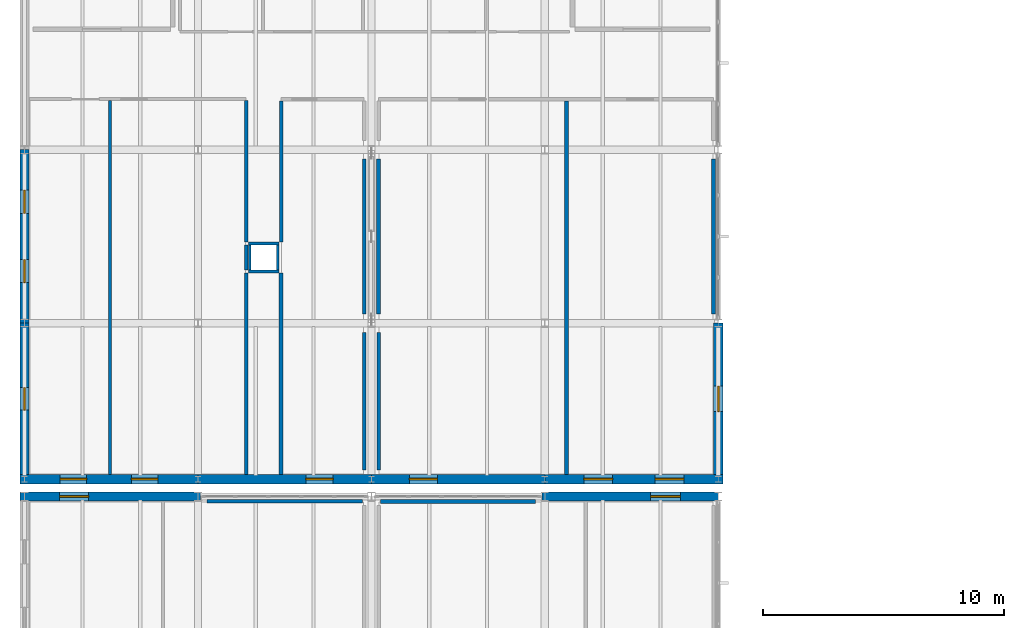
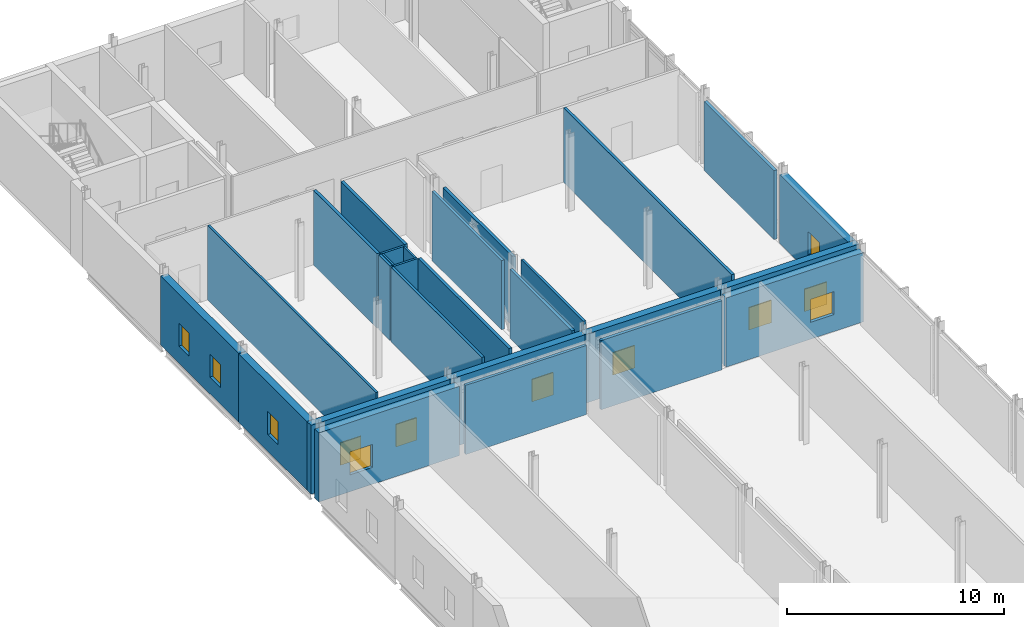
# One storey, part 55 of 72: 27 walls, 12 windows, 12 openings.
"""IFC4 building model written with IfcOpenShell, lengths in metres."""

from ifc_helpers import new_model, si_unit, direction, frame, frame_2d, origin, place, context, subcontext, project, spatial, rectangle, extrude, material, layer, layer_set, type_object, element, fill, save


model = new_model("IFC4")

# Units and contexts
model_context = context("Model", 3, precision=1e-05, world=origin(), true_north=direction((0.0, 1.0)))
body_context = subcontext(model_context, "Body", "Model", "MODEL_VIEW")
ifc_project = project(units=[si_unit("LENGTHUNIT", "METRE"), si_unit("AREAUNIT", "SQUARE_METRE"), si_unit("VOLUMEUNIT", "CUBIC_METRE"), si_unit("PLANEANGLEUNIT", "RADIAN"), si_unit("MASSUNIT", "GRAM", prefix="KILO")], contexts=[model_context])

# Site, building, storey
site_placement = place(None, origin())
site = spatial("IfcSite", under=ifc_project, at=site_placement, CompositionType="ELEMENT")
building_placement = place(site_placement, origin())
building = spatial("IfcBuilding", under=site, at=building_placement, Name="Zarrinpeak Specialist Clinic", CompositionType="ELEMENT")
storey_placement = place(building_placement, frame((0.0, 0.0, 9.60009765625)))
storey = spatial("IfcBuildingStorey", under=building, at=storey_placement, Name="L02", CompositionType="ELEMENT", Elevation=9.60009765625)

# Wall, opening, window
ifc_material_1 = material(Name="Precast concrete C40/50", Category="concrete")
ifc_layer_1 = layer(ifc_material_1, 0.3798828125)
ifc_layer_set_1 = layer_set([ifc_layer_1], Name="Precast concrete C40/50")
wall_type_1 = type_object("IfcWallType", Name="WL-EW380", PredefinedType="STANDARD", material=ifc_layer_set_1)
wall_1_placement = place(storey_placement, frame((7.31005859375, 50.39990234375, 0.0), z_axis=(0.0, 0.0, 1.0), x_axis=(-1.0, 0.0, 0.0)))
wall_1 = element("IfcWall", 1, at=wall_1_placement, inside=storey, type_object=wall_type_1, Name="L02 V1 Exterior GRC Wall EW-L02-V1-0033", PredefinedType="STANDARD", context=body_context, shape_type="SweptSolid", body=[
    extrude(rectangle(XDim=7.5, YDim=0.3798828125, at=frame_2d((3.75, 0.0))), origin(), (0.0, 0.0, 1.0), 3.89501953125),
])
opening_1_placement = place(wall_1_placement, frame((4.64990234375, 0.0, 0.949951171875)))
opening_1 = element("IfcOpeningElement", 2, at=opening_1_placement, cuts=wall_1, Name="Opening WS-24", PredefinedType="OPENING", context=body_context, shape_type="SweptSolid", body=[
    extrude(rectangle(XDim=1.199951171875, YDim=1.2958984375, at=frame_2d((0.60009765625, 0.64794921875))), frame((0.0, 0.199951171875, 0.0), z_axis=(0.0, -1.0, 0.0), x_axis=(1.0, 0.0, 0.0)), (0.0, 0.0, 1.0), 0.39990234375),
])
ifc_material_2 = material(Name="Thermally Broken Aluminium and Low-E Glazing", Category="aluminium")
window_type_1 = type_object("IfcWindowType", Name="WN-SP24", PartitioningType="SINGLE_PANEL", PredefinedType="WINDOW", material=ifc_material_2)
window_1_placement = place(opening_1_placement, origin())
window_1 = element("IfcWindow", 3, at=window_1_placement, inside=storey, type_object=window_type_1, Name="L02 Modular Facade Window WN-L02-0049", OverallHeight=1.2958984375, OverallWidth=1.199951171875, PartitioningType="SINGLE_PANEL", PredefinedType="WINDOW", context=body_context, shape_type="SweptSolid", body=[
    extrude(rectangle(XDim=1.199951171875, YDim=1.2958984375, at=frame_2d((0.60009765625, 0.64794921875))), frame((0.0, 0.030029296875, 0.0), z_axis=(0.0, -1.0, 0.0), x_axis=(1.0, 0.0, 0.0)), (0.0, 0.0, 1.0), 0.06005859375),
])
fill(opening_1, window_1)

wall_2_placement = place(storey_placement, frame((28.800048828125, 50.39990234375, 0.0), z_axis=(0.0, 0.0, 1.0), x_axis=(-1.0, 0.0, 0.0)))
wall_2 = element("IfcWall", 4, at=wall_2_placement, inside=storey, type_object=wall_type_1, Name="L02 V1 Exterior GRC Wall EW-L02-V1-0034", PredefinedType="STANDARD", context=body_context, shape_type="SweptSolid", body=[
    extrude(rectangle(XDim=7.31005859375, YDim=0.3798828125, at=frame_2d((3.655029296875, 0.0))), origin(), (0.0, 0.0, 1.0), 3.89501953125),
])
opening_2_placement = place(wall_2_placement, frame((1.575927734375, 0.0, 0.949951171875)))
opening_2 = element("IfcOpeningElement", 5, at=opening_2_placement, cuts=wall_2, Name="Opening WS-25", PredefinedType="OPENING", context=body_context, shape_type="SweptSolid", body=[
    extrude(rectangle(XDim=1.23388671875, YDim=1.2958984375, at=frame_2d((0.616943359375, 0.64794921875))), frame((0.0, 0.199951171875, 0.0), z_axis=(0.0, -1.0, 0.0), x_axis=(1.0, 0.0, 0.0)), (0.0, 0.0, 1.0), 0.39990234375),
])
window_type_2 = type_object("IfcWindowType", Name="WN-SP25", PartitioningType="SINGLE_PANEL", PredefinedType="WINDOW", material=ifc_material_2)
window_2_placement = place(opening_2_placement, origin())
window_2 = element("IfcWindow", 6, at=window_2_placement, inside=storey, type_object=window_type_2, Name="L02 Modular Facade Window WN-L02-0050", OverallHeight=1.2958984375, OverallWidth=1.23388671875, PartitioningType="SINGLE_PANEL", PredefinedType="WINDOW", context=body_context, shape_type="SweptSolid", body=[
    extrude(rectangle(XDim=1.23388671875, YDim=1.2958984375, at=frame_2d((0.616943359375, 0.64794921875))), frame((0.0, 0.030029296875, 0.0), z_axis=(0.0, -1.0, 0.0), x_axis=(1.0, 0.0, 0.0)), (0.0, 0.0, 1.0), 0.06005859375),
])
fill(opening_2, window_2)

# Wall, openings, windows
wall_3_placement = place(storey_placement, frame((-0.18994140625, 51.1201171875, 0.0), z_axis=(0.0, 0.0, 1.0), x_axis=(1.0, 0.0, 0.0)))
wall_3 = element("IfcWall", 7, at=wall_3_placement, inside=storey, type_object=wall_type_1, Name="L02 V5 Exterior GRC Wall EW-L02-V5-0239", PredefinedType="STANDARD", context=body_context, shape_type="SweptSolid", body=[
    extrude(rectangle(XDim=7.389892578125, YDim=0.3798828125, at=frame_2d((3.69482421875, 0.0))), origin(), (0.0, 0.0, 1.0), 3.875),
])
opening_3_placement = place(wall_3_placement, frame((1.66796875, 0.0, 0.949951171875)))
opening_3 = element("IfcOpeningElement", 8, at=opening_3_placement, cuts=wall_3, Name="Opening WS-08", PredefinedType="OPENING", context=body_context, shape_type="SweptSolid", body=[
    extrude(rectangle(XDim=1.097900390625, YDim=1.260009765625, at=frame_2d((0.548828125, 0.6298828125))), frame((0.0, 0.199951171875, 0.0), z_axis=(0.0, -1.0, 0.0), x_axis=(1.0, 0.0, 0.0)), (0.0, 0.0, 1.0), 0.39990234375),
])
opening_4_placement = place(wall_3_placement, frame((4.6240234375, 0.0, 0.949951171875)))
opening_4 = element("IfcOpeningElement", 9, at=opening_4_placement, cuts=wall_3, Name="Opening WS-08", PredefinedType="OPENING", context=body_context, shape_type="SweptSolid", body=[
    extrude(rectangle(XDim=1.097900390625, YDim=1.260009765625, at=frame_2d((0.548828125, 0.6298828125))), frame((0.0, 0.199951171875, 0.0), z_axis=(0.0, -1.0, 0.0), x_axis=(1.0, 0.0, 0.0)), (0.0, 0.0, 1.0), 0.39990234375),
])
window_type_3 = type_object("IfcWindowType", Name="WN-SP08", PartitioningType="SINGLE_PANEL", PredefinedType="WINDOW", material=ifc_material_2)
window_3_placement = place(opening_3_placement, origin())
window_3 = element("IfcWindow", 10, at=window_3_placement, inside=storey, type_object=window_type_3, Name="L02 Modular Facade Window WN-L02-0272", OverallHeight=1.260009765625, OverallWidth=1.097900390625, PartitioningType="SINGLE_PANEL", PredefinedType="WINDOW", context=body_context, shape_type="SweptSolid", body=[
    extrude(rectangle(XDim=1.097900390625, YDim=1.260009765625, at=frame_2d((0.548828125, 0.6298828125))), frame((0.0, 0.030029296875, 0.0), z_axis=(0.0, -1.0, 0.0), x_axis=(1.0, 0.0, 0.0)), (0.0, 0.0, 1.0), 0.06005859375),
])
fill(opening_3, window_3)
window_4_placement = place(opening_4_placement, origin())
window_4 = element("IfcWindow", 11, at=window_4_placement, inside=storey, type_object=window_type_3, Name="L02 Modular Facade Window WN-L02-0273", OverallHeight=1.260009765625, OverallWidth=1.097900390625, PartitioningType="SINGLE_PANEL", PredefinedType="WINDOW", context=body_context, shape_type="SweptSolid", body=[
    extrude(rectangle(XDim=1.097900390625, YDim=1.260009765625, at=frame_2d((0.548828125, 0.6298828125))), frame((0.0, 0.030029296875, 0.0), z_axis=(0.0, -1.0, 0.0), x_axis=(1.0, 0.0, 0.0)), (0.0, 0.0, 1.0), 0.06005859375),
])
fill(opening_4, window_4)

# Wall, opening, window
wall_4_placement = place(storey_placement, frame((7.199951171875, 51.1201171875, 0.0), z_axis=(0.0, 0.0, 1.0), x_axis=(1.0, 0.0, 0.0)))
wall_4 = element("IfcWall", 12, at=wall_4_placement, inside=storey, type_object=wall_type_1, Name="L02 V5 Exterior GRC Wall EW-L02-V5-0240", PredefinedType="STANDARD", context=body_context, shape_type="SweptSolid", body=[
    extrude(rectangle(XDim=7.199951171875, YDim=0.3798828125, at=frame_2d((3.60009765625, 0.0))), origin(), (0.0, 0.0, 1.0), 3.875),
])
opening_5_placement = place(wall_4_placement, frame((4.47412109375, 0.0, 0.949951171875)))
opening_5 = element("IfcOpeningElement", 13, at=opening_5_placement, cuts=wall_4, Name="Opening WS-09", PredefinedType="OPENING", context=body_context, shape_type="SweptSolid", body=[
    extrude(rectangle(XDim=1.132080078125, YDim=1.260009765625, at=frame_2d((0.56591796875, 0.6298828125))), frame((0.0, 0.199951171875, 0.0), z_axis=(0.0, -1.0, 0.0), x_axis=(1.0, 0.0, 0.0)), (0.0, 0.0, 1.0), 0.39990234375),
])
window_type_4 = type_object("IfcWindowType", Name="WN-SP09", PartitioningType="SINGLE_PANEL", PredefinedType="WINDOW", material=ifc_material_2)
window_5_placement = place(opening_5_placement, origin())
window_5 = element("IfcWindow", 14, at=window_5_placement, inside=storey, type_object=window_type_4, Name="L02 Modular Facade Window WN-L02-0274", OverallHeight=1.260009765625, OverallWidth=1.132080078125, PartitioningType="SINGLE_PANEL", PredefinedType="WINDOW", context=body_context, shape_type="SweptSolid", body=[
    extrude(rectangle(XDim=1.132080078125, YDim=1.260009765625, at=frame_2d((0.56591796875, 0.6298828125))), frame((0.0, 0.030029296875, 0.0), z_axis=(0.0, -1.0, 0.0), x_axis=(1.0, 0.0, 0.0)), (0.0, 0.0, 1.0), 0.06005859375),
])
fill(opening_5, window_5)

wall_5_placement = place(storey_placement, frame((14.39990234375, 51.1201171875, 0.0), z_axis=(0.0, 0.0, 1.0), x_axis=(1.0, 0.0, 0.0)))
wall_5 = element("IfcWall", 15, at=wall_5_placement, inside=storey, type_object=wall_type_1, Name="L02 V5 Exterior GRC Wall EW-L02-V5-0241", PredefinedType="STANDARD", context=body_context, shape_type="SweptSolid", body=[
    extrude(rectangle(XDim=7.2001953125, YDim=0.3798828125, at=frame_2d((3.60009765625, 0.0))), origin(), (0.0, 0.0, 1.0), 3.875),
])
opening_6_placement = place(wall_5_placement, frame((1.576904296875, 0.0, 0.949951171875)))
opening_6 = element("IfcOpeningElement", 16, at=opening_6_placement, cuts=wall_5, Name="Opening WS-10", PredefinedType="OPENING", context=body_context, shape_type="SweptSolid", body=[
    extrude(rectangle(XDim=1.166015625, YDim=1.260009765625, at=frame_2d((0.5830078125, 0.6298828125))), frame((0.0, 0.199951171875, 0.0), z_axis=(0.0, -1.0, 0.0), x_axis=(1.0, 0.0, 0.0)), (0.0, 0.0, 1.0), 0.39990234375),
])
window_type_5 = type_object("IfcWindowType", Name="WN-SP10", PartitioningType="SINGLE_PANEL", PredefinedType="WINDOW", material=ifc_material_2)
window_6_placement = place(opening_6_placement, origin())
window_6 = element("IfcWindow", 17, at=window_6_placement, inside=storey, type_object=window_type_5, Name="L02 Modular Facade Window WN-L02-0275", OverallHeight=1.260009765625, OverallWidth=1.166015625, PartitioningType="SINGLE_PANEL", PredefinedType="WINDOW", context=body_context, shape_type="SweptSolid", body=[
    extrude(rectangle(XDim=1.166015625, YDim=1.260009765625, at=frame_2d((0.5830078125, 0.6298828125))), frame((0.0, 0.030029296875, 0.0), z_axis=(0.0, -1.0, 0.0), x_axis=(1.0, 0.0, 0.0)), (0.0, 0.0, 1.0), 0.06005859375),
])
fill(opening_6, window_6)

# Wall, openings, windows
wall_6_placement = place(storey_placement, frame((21.60009765625, 51.1201171875, 0.0), z_axis=(0.0, 0.0, 1.0), x_axis=(1.0, 0.0, 0.0)))
wall_6 = element("IfcWall", 18, at=wall_6_placement, inside=storey, type_object=wall_type_1, Name="L02 V5 Exterior GRC Wall EW-L02-V5-0242", PredefinedType="STANDARD", context=body_context, shape_type="SweptSolid", body=[
    extrude(rectangle(XDim=7.389892578125, YDim=0.3798828125, at=frame_2d((3.69482421875, 0.0))), origin(), (0.0, 0.0, 1.0), 3.875),
])
opening_7_placement = place(wall_6_placement, frame((1.616943359375, 0.0, 0.949951171875)))
opening_7 = element("IfcOpeningElement", 19, at=opening_7_placement, cuts=wall_6, Name="Opening WS-11", PredefinedType="OPENING", context=body_context, shape_type="SweptSolid", body=[
    extrude(rectangle(XDim=1.199951171875, YDim=1.260009765625, at=frame_2d((0.60009765625, 0.6298828125))), frame((0.0, 0.199951171875, 0.0), z_axis=(0.0, -1.0, 0.0), x_axis=(1.0, 0.0, 0.0)), (0.0, 0.0, 1.0), 0.39990234375),
])
opening_8_placement = place(wall_6_placement, frame((4.572998046875, 0.0, 0.949951171875)))
opening_8 = element("IfcOpeningElement", 20, at=opening_8_placement, cuts=wall_6, Name="Opening WS-11", PredefinedType="OPENING", context=body_context, shape_type="SweptSolid", body=[
    extrude(rectangle(XDim=1.199951171875, YDim=1.260009765625, at=frame_2d((0.60009765625, 0.6298828125))), frame((0.0, 0.199951171875, 0.0), z_axis=(0.0, -1.0, 0.0), x_axis=(1.0, 0.0, 0.0)), (0.0, 0.0, 1.0), 0.39990234375),
])
window_type_6 = type_object("IfcWindowType", Name="WN-SP11", PartitioningType="SINGLE_PANEL", PredefinedType="WINDOW", material=ifc_material_2)
window_7_placement = place(opening_7_placement, origin())
window_7 = element("IfcWindow", 21, at=window_7_placement, inside=storey, type_object=window_type_6, Name="L02 Modular Facade Window WN-L02-0276", OverallHeight=1.260009765625, OverallWidth=1.199951171875, PartitioningType="SINGLE_PANEL", PredefinedType="WINDOW", context=body_context, shape_type="SweptSolid", body=[
    extrude(rectangle(XDim=1.199951171875, YDim=1.260009765625, at=frame_2d((0.60009765625, 0.6298828125))), frame((0.0, 0.030029296875, 0.0), z_axis=(0.0, -1.0, 0.0), x_axis=(1.0, 0.0, 0.0)), (0.0, 0.0, 1.0), 0.06005859375),
])
fill(opening_7, window_7)
window_8_placement = place(opening_8_placement, origin())
window_8 = element("IfcWindow", 22, at=window_8_placement, inside=storey, type_object=window_type_6, Name="L02 Modular Facade Window WN-L02-0277", OverallHeight=1.260009765625, OverallWidth=1.199951171875, PartitioningType="SINGLE_PANEL", PredefinedType="WINDOW", context=body_context, shape_type="SweptSolid", body=[
    extrude(rectangle(XDim=1.199951171875, YDim=1.260009765625, at=frame_2d((0.60009765625, 0.6298828125))), frame((0.0, 0.030029296875, 0.0), z_axis=(0.0, -1.0, 0.0), x_axis=(1.0, 0.0, 0.0)), (0.0, 0.0, 1.0), 0.06005859375),
])
fill(opening_8, window_8)

# Wall, opening, window
wall_7_placement = place(storey_placement, frame((0.0, 57.60009765625, 0.0), z_axis=(0.0, 0.0, 1.0), x_axis=(0.0, -1.0, 0.0)))
wall_7 = element("IfcWall", 23, at=wall_7_placement, inside=storey, type_object=wall_type_1, Name="L02 V5 Exterior GRC Wall EW-L02-V5-0247", PredefinedType="STANDARD", context=body_context, shape_type="SweptSolid", body=[
    extrude(rectangle(XDim=6.2900390625, YDim=0.3798828125, at=frame_2d((3.14501953125, 0.0))), origin(), (0.0, 0.0, 1.0), 3.864990234375),
])
opening_9_placement = place(wall_7_placement, frame((2.680908203125, 0.0, 0.949951171875)))
opening_9 = element("IfcOpeningElement", 24, at=opening_9_placement, cuts=wall_7, Name="Opening WS-16", PredefinedType="OPENING", context=body_context, shape_type="SweptSolid", body=[
    extrude(rectangle(XDim=0.927978515625, YDim=1.2958984375, at=frame_2d((0.4638671875, 0.64794921875))), frame((0.0, 0.199951171875, 0.0), z_axis=(0.0, -1.0, 0.0), x_axis=(1.0, 0.0, 0.0)), (0.0, 0.0, 1.0), 0.39990234375),
])
window_type_7 = type_object("IfcWindowType", Name="WN-SP16", PartitioningType="SINGLE_PANEL", PredefinedType="WINDOW", material=ifc_material_2)
window_9_placement = place(opening_9_placement, origin())
window_9 = element("IfcWindow", 25, at=window_9_placement, inside=storey, type_object=window_type_7, Name="L02 Modular Facade Window WN-L02-0284", OverallHeight=1.2958984375, OverallWidth=0.927978515625, PartitioningType="SINGLE_PANEL", PredefinedType="WINDOW", context=body_context, shape_type="SweptSolid", body=[
    extrude(rectangle(XDim=0.927978515625, YDim=1.2958984375, at=frame_2d((0.4638671875, 0.64794921875))), frame((0.0, 0.030029296875, 0.0), z_axis=(0.0, -1.0, 0.0), x_axis=(1.0, 0.0, 0.0)), (0.0, 0.0, 1.0), 0.06005859375),
])
fill(opening_9, window_9)

# Wall, openings, windows
wall_8_placement = place(storey_placement, frame((0.0, 64.800048828125, 0.0), z_axis=(0.0, 0.0, 1.0), x_axis=(0.0, -1.0, 0.0)))
wall_8 = element("IfcWall", 26, at=wall_8_placement, inside=storey, type_object=wall_type_1, Name="L02 V5 Exterior GRC Wall EW-L02-V5-0248", PredefinedType="STANDARD", context=body_context, shape_type="SweptSolid", body=[
    extrude(rectangle(XDim=7.199951171875, YDim=0.3798828125, at=frame_2d((3.60009765625, 0.0))), origin(), (0.0, 0.0, 1.0), 3.885009765625),
])
opening_10_placement = place(wall_8_placement, frame((1.678955078125, 0.0, 0.949951171875)))
opening_10 = element("IfcOpeningElement", 27, at=opening_10_placement, cuts=wall_8, Name="Opening WS-17", PredefinedType="OPENING", context=body_context, shape_type="SweptSolid", body=[
    extrude(rectangle(XDim=0.9619140625, YDim=1.2958984375, at=frame_2d((0.48095703125, 0.64794921875))), frame((0.0, 0.199951171875, 0.0), z_axis=(0.0, -1.0, 0.0), x_axis=(1.0, 0.0, 0.0)), (0.0, 0.0, 1.0), 0.39990234375),
])
opening_11_placement = place(wall_8_placement, frame((4.55908203125, 0.0, 0.949951171875)))
opening_11 = element("IfcOpeningElement", 28, at=opening_11_placement, cuts=wall_8, Name="Opening WS-17", PredefinedType="OPENING", context=body_context, shape_type="SweptSolid", body=[
    extrude(rectangle(XDim=0.9619140625, YDim=1.2958984375, at=frame_2d((0.48095703125, 0.64794921875))), frame((0.0, 0.199951171875, 0.0), z_axis=(0.0, -1.0, 0.0), x_axis=(1.0, 0.0, 0.0)), (0.0, 0.0, 1.0), 0.39990234375),
])
window_type_8 = type_object("IfcWindowType", Name="WN-SP17", PartitioningType="SINGLE_PANEL", PredefinedType="WINDOW", material=ifc_material_2)
window_10_placement = place(opening_10_placement, origin())
window_10 = element("IfcWindow", 29, at=window_10_placement, inside=storey, type_object=window_type_8, Name="L02 Modular Facade Window WN-L02-0285", OverallHeight=1.2958984375, OverallWidth=0.9619140625, PartitioningType="SINGLE_PANEL", PredefinedType="WINDOW", context=body_context, shape_type="SweptSolid", body=[
    extrude(rectangle(XDim=0.9619140625, YDim=1.2958984375, at=frame_2d((0.48095703125, 0.64794921875))), frame((0.0, 0.030029296875, 0.0), z_axis=(0.0, -1.0, 0.0), x_axis=(1.0, 0.0, 0.0)), (0.0, 0.0, 1.0), 0.06005859375),
])
fill(opening_10, window_10)
window_11_placement = place(opening_11_placement, origin())
window_11 = element("IfcWindow", 30, at=window_11_placement, inside=storey, type_object=window_type_8, Name="L02 Modular Facade Window WN-L02-0286", OverallHeight=1.2958984375, OverallWidth=0.9619140625, PartitioningType="SINGLE_PANEL", PredefinedType="WINDOW", context=body_context, shape_type="SweptSolid", body=[
    extrude(rectangle(XDim=0.9619140625, YDim=1.2958984375, at=frame_2d((0.48095703125, 0.64794921875))), frame((0.0, 0.030029296875, 0.0), z_axis=(0.0, -1.0, 0.0), x_axis=(1.0, 0.0, 0.0)), (0.0, 0.0, 1.0), 0.06005859375),
])
fill(opening_11, window_11)

# Wall, opening, window
wall_9_placement = place(storey_placement, frame((28.800048828125, 51.31005859375, 0.0), z_axis=(0.0, 0.0, 1.0), x_axis=(0.0, 1.0, 0.0)))
wall_9 = element("IfcWall", 31, at=wall_9_placement, inside=storey, type_object=wall_type_1, Name="L02 V5 Exterior GRC Wall EW-L02-V5-0251", PredefinedType="STANDARD", context=body_context, shape_type="SweptSolid", body=[
    extrude(rectangle(XDim=6.2900390625, YDim=0.3798828125, at=frame_2d((3.14501953125, 0.0))), origin(), (0.0, 0.0, 1.0), 3.864990234375),
])
opening_12_placement = place(wall_9_placement, frame((2.613037109375, 0.0, 0.949951171875)))
opening_12 = element("IfcOpeningElement", 32, at=opening_12_placement, cuts=wall_9, Name="Opening WS-20", PredefinedType="OPENING", context=body_context, shape_type="SweptSolid", body=[
    extrude(rectangle(XDim=1.06396484375, YDim=1.2958984375, at=frame_2d((0.531982421875, 0.64794921875))), frame((0.0, 0.199951171875, 0.0), z_axis=(0.0, -1.0, 0.0), x_axis=(1.0, 0.0, 0.0)), (0.0, 0.0, 1.0), 0.39990234375),
])
window_type_9 = type_object("IfcWindowType", Name="WN-SP20", PartitioningType="SINGLE_PANEL", PredefinedType="WINDOW", material=ifc_material_2)
window_12_placement = place(opening_12_placement, origin())
window_12 = element("IfcWindow", 33, at=window_12_placement, inside=storey, type_object=window_type_9, Name="L02 Modular Facade Window WN-L02-0287", OverallHeight=1.2958984375, OverallWidth=1.06396484375, PartitioningType="SINGLE_PANEL", PredefinedType="WINDOW", context=body_context, shape_type="SweptSolid", body=[
    extrude(rectangle(XDim=1.06396484375, YDim=1.2958984375, at=frame_2d((0.531982421875, 0.64794921875))), frame((0.0, 0.030029296875, 0.0), z_axis=(0.0, -1.0, 0.0), x_axis=(1.0, 0.0, 0.0)), (0.0, 0.0, 1.0), 0.06005859375),
])
fill(opening_12, window_12)

# Walls
ifc_material_3 = material(Name="Sanitary Service Chase Plumbing Wall", Category="gypsum")
ifc_layer_2 = layer(ifc_material_3, 0.110107421875)
ifc_layer_set_2 = layer_set([ifc_layer_2], Name="Sanitary Service Chase Plumbing Wall")
wall_type_2 = type_object("IfcWallType", Name="WL-IW110", PredefinedType="PARTITIONING", material=ifc_layer_set_2)
for number, where, z_axis, x_axis, name in (
    (34, (9.2900390625, 59.7451171875, 0.0), (0.0, 0.0, 1.0), (1.0, 0.0, 0.0), "L02 V5 Enclosed MEP Service Riser Wall S"),
    (35, (9.2900390625, 60.905029296875, 0.0), (0.0, 0.0, 1.0), (1.0, 0.0, 0.0), "L02 V5 Enclosed MEP Service Riser Wall N"),
):
    element("IfcWall", number, at=place(storey_placement, frame(where, z_axis=z_axis, x_axis=x_axis)), inside=storey, type_object=wall_type_2, Name=name, PredefinedType="PARTITIONING", context=body_context, shape_type="SweptSolid", body=[
        extrude(rectangle(XDim=1.27001953125, YDim=0.110107421875, at=frame_2d((0.635009765625, 0.0))), origin(), (0.0, 0.0, 1.0), 4.199951171875),
    ])
for number, where, z_axis, x_axis, name in (
    (36, (9.344970703125, 59.800048828125, 0.0), (0.0, 0.0, 1.0), (0.0, 1.0, 0.0), "L02 V5 Enclosed MEP Service Riser Wall W"),
    (37, (10.5048828125, 59.800048828125, 0.0), (0.0, 0.0, 1.0), (0.0, 1.0, 0.0), "L02 V5 Enclosed MEP Service Riser Wall E"),
):
    element("IfcWall", number, at=place(storey_placement, frame(where, z_axis=z_axis, x_axis=x_axis)), inside=storey, type_object=wall_type_2, Name=name, PredefinedType="PARTITIONING", context=body_context, shape_type="SweptSolid", body=[
        extrude(rectangle(XDim=1.050048828125, YDim=0.110107421875, at=frame_2d((0.52490234375, 0.0))), origin(), (0.0, 0.0, 1.0), 4.199951171875),
    ])
ifc_material_4 = material(Name="Cleanroom Flush Phenolic Partition", Category="gypsum")
ifc_layer_3 = layer(ifc_material_4, 0.117919921875)
ifc_layer_set_3 = layer_set([ifc_layer_3], Name="Cleanroom Flush Phenolic Partition")
wall_type_3 = type_object("IfcWallType", Name="WL-IW118", PredefinedType="PARTITIONING", material=ifc_layer_set_3)
wall_10_placement = place(storey_placement, frame((3.550048828125, 51.320068359375, 0.0), z_axis=(0.0, 0.0, 1.0), x_axis=(0.0, 1.0, 0.0)))
element("IfcWall", 38, at=wall_10_placement, inside=storey, type_object=wall_type_3, Name="L02 Cytotoxic Aseptic Prep Lab Dividing Partition", PredefinedType="PARTITIONING", context=body_context, shape_type="SweptSolid", body=[
    extrude(rectangle(XDim=15.52099609375, YDim=0.117919921875, at=frame_2d((7.760498046875, 0.0))), origin(), (0.0, 0.0, 1.0), 4.199951171875),
])
ifc_material_5 = material(Name="Standard Drywall Partition", Category="gypsum")
ifc_layer_4 = layer(ifc_material_5, 0.135009765625)
ifc_layer_set_4 = layer_set([ifc_layer_4], Name="Standard Drywall Partition")
wall_type_4 = type_object("IfcWallType", Name="WL-IW135", PredefinedType="PARTITIONING", material=ifc_layer_set_4)
wall_11_placement = place(storey_placement, frame((9.199951171875, 59.800048828125, 0.0), z_axis=(0.0, 0.0, 1.0), x_axis=(0.0, 1.0, 0.0)))
element("IfcWall", 39, at=wall_11_placement, inside=storey, type_object=wall_type_4, Name="L02 Specialist Consultation Room 2 Dividing Partition", PredefinedType="PARTITIONING", context=body_context, shape_type="SweptSolid", body=[
    extrude(rectangle(XDim=1.050048828125, YDim=0.135009765625, at=frame_2d((0.52490234375, 0.0))), origin(), (0.0, 0.0, 1.0), 4.199951171875),
])
wall_12_placement = place(storey_placement, frame((14.699951171875, 51.5, 0.0), z_axis=(0.0, 0.0, 1.0), x_axis=(0.0, 1.0, 0.0)))
element("IfcWall", 40, at=wall_12_placement, inside=storey, type_object=wall_type_4, Name="L02 Specialist Consultation Room 4 Dividing Partition", PredefinedType="PARTITIONING", context=body_context, shape_type="SweptSolid", body=[
    extrude(rectangle(XDim=5.719970703125, YDim=0.135009765625, at=frame_2d((2.85986328125, 0.0))), origin(), (0.0, 0.0, 1.0), 4.199951171875),
])
ifc_material_6 = material(Name="Acoustic Consultation Stud Partition", Category="gypsum")
ifc_layer_5 = layer(ifc_material_6, 0.14208984375)
ifc_layer_set_5 = layer_set([ifc_layer_5], Name="Acoustic Consultation Stud Partition")
wall_type_5 = type_object("IfcWallType", Name="WL-IW142", PredefinedType="PARTITIONING", material=ifc_layer_set_5)
wall_13_placement = place(storey_placement, frame((7.580078125, 50.199951171875, 0.0), z_axis=(0.0, 0.0, 1.0), x_axis=(1.0, 0.0, 0.0)))
element("IfcWall", 41, at=wall_13_placement, inside=storey, type_object=wall_type_5, Name="L02 Audiology Soundproof Booth Partition", PredefinedType="PARTITIONING", context=body_context, shape_type="SweptSolid", body=[
    extrude(rectangle(XDim=6.43994140625, YDim=0.14208984375, at=frame_2d((3.219970703125, 0.0))), origin(), (0.0, 0.0, 1.0), 3.89501953125),
])
wall_14_placement = place(storey_placement, frame((9.199951171875, 51.320068359375, 0.0), z_axis=(0.0, 0.0, 1.0), x_axis=(0.0, 1.0, 0.0)))
element("IfcWall", 42, at=wall_14_placement, inside=storey, type_object=wall_type_5, Name="L02 Specialist Consultation Room 2 Dividing Partition", PredefinedType="PARTITIONING", context=body_context, shape_type="SweptSolid", body=[
    extrude(rectangle(XDim=8.369873046875, YDim=0.14208984375, at=frame_2d((4.18505859375, 0.0))), origin(), (0.0, 0.0, 1.0), 4.199951171875),
])
wall_15_placement = place(storey_placement, frame((14.10009765625, 57.97998046875, 0.0), z_axis=(0.0, 0.0, 1.0), x_axis=(0.0, 1.0, 0.0)))
element("IfcWall", 43, at=wall_15_placement, inside=storey, type_object=wall_type_5, Name="L02 Haematology Oncology Consult Dividing Partition", PredefinedType="PARTITIONING", context=body_context, shape_type="SweptSolid", body=[
    extrude(rectangle(XDim=6.43994140625, YDim=0.14208984375, at=frame_2d((3.219970703125, 0.0))), origin(), (0.0, 0.0, 1.0), 3.89501953125),
])
ifc_material_7 = material(Name="Insulated Clinical Gypsum Stud Partition", Category="gypsum")
ifc_layer_6 = layer(ifc_material_7, 0.14990234375)
ifc_layer_set_6 = layer_set([ifc_layer_6], Name="Insulated Clinical Gypsum Stud Partition")
wall_type_6 = type_object("IfcWallType", Name="WL-IW150", PredefinedType="PARTITIONING", material=ifc_layer_set_6)
wall_16_placement = place(storey_placement, frame((10.64990234375, 60.9599609375, 0.0), z_axis=(0.0, 0.0, 1.0), x_axis=(0.0, 1.0, 0.0)))
element("IfcWall", 44, at=wall_16_placement, inside=storey, type_object=wall_type_6, Name="L02 Haematology Oncology Consult Dividing Partition", PredefinedType="PARTITIONING", context=body_context, shape_type="SweptSolid", body=[
    extrude(rectangle(XDim=5.864990234375, YDim=0.14990234375, at=frame_2d((2.9326171875, 0.0))), origin(), (0.0, 0.0, 1.0), 4.199951171875),
])
wall_17_placement = place(storey_placement, frame((14.10009765625, 51.5, 0.0), z_axis=(0.0, 0.0, 1.0), x_axis=(0.0, 1.0, 0.0)))
element("IfcWall", 45, at=wall_17_placement, inside=storey, type_object=wall_type_6, Name="L02 Haematology Oncology Consult Dividing Partition", PredefinedType="PARTITIONING", context=body_context, shape_type="SweptSolid", body=[
    extrude(rectangle(XDim=5.719970703125, YDim=0.14990234375, at=frame_2d((2.85986328125, 0.0))), origin(), (0.0, 0.0, 1.0), 3.875),
])
wall_18_placement = place(storey_placement, frame((22.5, 51.320068359375, 0.0), z_axis=(0.0, 0.0, 1.0), x_axis=(0.0, 1.0, 0.0)))
element("IfcWall", 46, at=wall_18_placement, inside=storey, type_object=wall_type_6, Name="L02 Specialist Consultation Room 3 Dividing Partition", PredefinedType="PARTITIONING", context=body_context, shape_type="SweptSolid", body=[
    extrude(rectangle(XDim=15.509033203125, YDim=0.14990234375, at=frame_2d((7.75439453125, 0.0))), origin(), (0.0, 0.0, 1.0), 4.199951171875),
])
ifc_material_8 = material(Name="Acoustic Double Gypsum Stud Partition", Category="gypsum")
ifc_layer_7 = layer(ifc_material_8, 0.159912109375)
ifc_layer_set_7 = layer_set([ifc_layer_7], Name="Acoustic Double Gypsum Stud Partition")
wall_type_7 = type_object("IfcWallType", Name="WL-IW160", PredefinedType="PARTITIONING", material=ifc_layer_set_7)
wall_19_placement = place(storey_placement, frame((14.780029296875, 50.199951171875, 0.0), z_axis=(0.0, 0.0, 1.0), x_axis=(1.0, 0.0, 0.0)))
element("IfcWall", 47, at=wall_19_placement, inside=storey, type_object=wall_type_7, Name="L02 Ophthalmology Laser Treatment Room Partition", PredefinedType="PARTITIONING", context=body_context, shape_type="SweptSolid", body=[
    extrude(rectangle(XDim=6.43994140625, YDim=0.159912109375, at=frame_2d((3.219970703125, 0.0))), origin(), (0.0, 0.0, 1.0), 3.89501953125),
])
wall_20_placement = place(storey_placement, frame((9.199951171875, 60.9599609375, 0.0), z_axis=(0.0, 0.0, 1.0), x_axis=(0.0, 1.0, 0.0)))
element("IfcWall", 48, at=wall_20_placement, inside=storey, type_object=wall_type_7, Name="L02 Specialist Consultation Room 2 Dividing Partition", PredefinedType="PARTITIONING", context=body_context, shape_type="SweptSolid", body=[
    extrude(rectangle(XDim=5.881103515625, YDim=0.159912109375, at=frame_2d((2.9404296875, 0.0))), origin(), (0.0, 0.0, 1.0), 4.199951171875),
])
wall_21_placement = place(storey_placement, frame((10.64990234375, 51.320068359375, 0.0), z_axis=(0.0, 0.0, 1.0), x_axis=(0.0, 1.0, 0.0)))
element("IfcWall", 49, at=wall_21_placement, inside=storey, type_object=wall_type_7, Name="L02 Haematology Oncology Consult Dividing Partition", PredefinedType="PARTITIONING", context=body_context, shape_type="SweptSolid", body=[
    extrude(rectangle(XDim=8.369873046875, YDim=0.159912109375, at=frame_2d((4.18505859375, 0.0))), origin(), (0.0, 0.0, 1.0), 4.199951171875),
])
wall_22_placement = place(storey_placement, frame((14.699951171875, 57.97998046875, 0.0), z_axis=(0.0, 0.0, 1.0), x_axis=(0.0, 1.0, 0.0)))
element("IfcWall", 50, at=wall_22_placement, inside=storey, type_object=wall_type_7, Name="L02 Specialist Consultation Room 4 Dividing Partition", PredefinedType="PARTITIONING", context=body_context, shape_type="SweptSolid", body=[
    extrude(rectangle(XDim=6.43994140625, YDim=0.159912109375, at=frame_2d((3.219970703125, 0.0))), origin(), (0.0, 0.0, 1.0), 3.89501953125),
])
wall_23_placement = place(storey_placement, frame((28.60009765625, 57.97998046875, 0.0), z_axis=(0.0, 0.0, 1.0), x_axis=(0.0, 1.0, 0.0)))
element("IfcWall", 51, at=wall_23_placement, inside=storey, type_object=wall_type_7, Name="L02 Specialist Consultation Room 3 Dividing Partition", PredefinedType="PARTITIONING", context=body_context, shape_type="SweptSolid", body=[
    extrude(rectangle(XDim=6.43994140625, YDim=0.159912109375, at=frame_2d((3.219970703125, 0.0))), origin(), (0.0, 0.0, 1.0), 3.885009765625),
])

save(model, "model.ifc")
